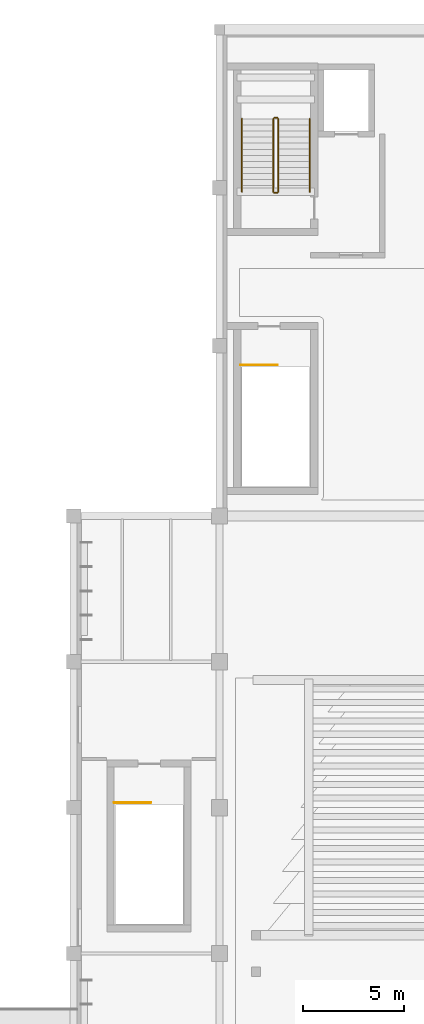
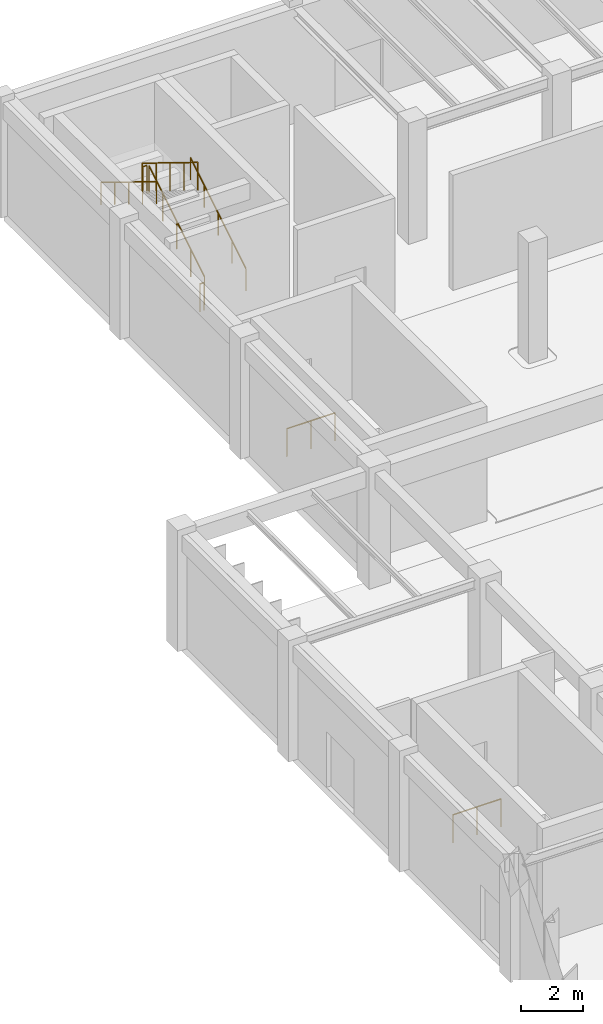
# One storey, part 117 of 122: 8 railings.
"""IFC4 building model written with IfcOpenShell, lengths in metres."""

import ifcopenshell
import ifcopenshell.guid

model = None  # the IFC model being written
_history = None  # IfcOwnerHistory: only IFC2X3 demands one
_inside = {}  # id of a spatial element -> (the spatial element, [elements in it])
_under = {}  # id of a project, library or spatial element -> (it, [spatial elements below it])
_declared = {}  # id of a project -> (the project, [libraries it declares])
_typed = {}  # id of a type object -> (the type object, [elements of that type])
_made_of = {}  # id of a material, layer set ... -> (it, [elements and type objects made of it])


def new_model(schema):
    """Start an empty IFC model of exactly this schema.

    Asked for "IFC4X3", IfcOpenShell would pick the latest addendum, in which some entities
    have other attributes; the version numbers below select the first issue.
    IFC2X3 requires an IfcOwnerHistory on every rooted entity: one is made here for all.
    """
    global model, _history
    if schema == "IFC4X3":
        model = ifcopenshell.file(schema_version=(4, 3, 0, 0))
    else:
        model = ifcopenshell.file(schema=schema)
    _inside.clear()
    _under.clear()
    _declared.clear()
    _typed.clear()
    _made_of.clear()
    _history = None
    if model.schema == "IFC2X3":
        org = make("IfcOrganization", Name="unknown")
        user = make(
            "IfcPersonAndOrganization",
            ThePerson=make("IfcPerson", FamilyName="unknown"),
            TheOrganization=org,
        )
        app = make(
            "IfcApplication",
            ApplicationDeveloper=org,
            Version="unknown",
            ApplicationFullName="unknown",
            ApplicationIdentifier="unknown",
        )
        _history = make(
            "IfcOwnerHistory",
            OwningUser=user,
            OwningApplication=app,
            ChangeAction="ADDED",
            CreationDate=0,
        )
    return model


def make(cls, **values):
    """One entity of the class cls with the attributes given. An attribute that is None is left unset."""
    return model.create_entity(
        cls, **{name: value for name, value in values.items() if value is not None}
    )


def rooted(cls, **values):
    """An entity with a GlobalId (a new one), such as an element, a storey or a relation."""
    return make(cls, GlobalId=ifcopenshell.guid.new(), OwnerHistory=_history, **values)


def si_unit(unit_type, name, prefix=None):
    """IfcSIUnit, for example si_unit("LENGTHUNIT", "METRE", prefix="MILLI")."""
    return make("IfcSIUnit", UnitType=unit_type, Prefix=prefix, Name=name)


def assignment(units):
    """IfcUnitAssignment: the units of a project."""
    return None if units is None else make("IfcUnitAssignment", Units=units)


def point(xyz):
    """IfcCartesianPoint."""
    return None if xyz is None else make("IfcCartesianPoint", Coordinates=xyz)


def direction(xyz):
    """IfcDirection."""
    return None if xyz is None else make("IfcDirection", DirectionRatios=xyz)


def frame(location, z_axis=None, x_axis=None):
    """IfcAxis2Placement3D, a coordinate frame: its origin and axes. An axis left out is left unset."""
    return make(
        "IfcAxis2Placement3D",
        Location=point(location),
        Axis=direction(z_axis),
        RefDirection=direction(x_axis),
    )


def frame_2d(location, x_axis=None):
    """IfcAxis2Placement2D, a coordinate frame in the plane: its origin and x axis."""
    return make(
        "IfcAxis2Placement2D", Location=point(location), RefDirection=direction(x_axis)
    )


def origin():
    """The frame at (0, 0, 0) with its axes left unset."""
    return frame((0.0, 0.0, 0.0))


def origin_2d():
    """The frame at (0, 0) in the plane with its x axis left unset."""
    return frame_2d((0.0, 0.0))


def place(relative_to, where):
    """IfcLocalPlacement: puts the frame where relative to a parent placement (None: the world)."""
    return make(
        "IfcLocalPlacement", PlacementRelTo=relative_to, RelativePlacement=where
    )


def context(
    kind, dimensions, precision=None, world=None, true_north=None, identifier=None
):
    """IfcGeometricRepresentationContext, for example the 3D "Model" context."""
    return make(
        "IfcGeometricRepresentationContext",
        ContextIdentifier=identifier,
        ContextType=kind,
        CoordinateSpaceDimension=dimensions,
        Precision=precision,
        WorldCoordinateSystem=world,
        TrueNorth=true_north,
    )


def subcontext(parent, identifier, kind, view, scale=None):
    """IfcGeometricRepresentationSubContext, for example "Body" below "Model"."""
    return make(
        "IfcGeometricRepresentationSubContext",
        ContextIdentifier=identifier,
        ContextType=kind,
        ParentContext=parent,
        TargetScale=scale,
        TargetView=view,
    )


def project(units=None, contexts=None):
    """IfcProject with its units and contexts."""
    return rooted(
        "IfcProject",
        Name="project",
        RepresentationContexts=contexts,
        UnitsInContext=assignment(units),
    )


def spatial(cls, under=None, at=None, **own):
    """A site, building, storey or space (cls), placed at a placement, below another one or the project."""
    s = rooted(cls, ObjectPlacement=at, **own)
    if under is not None:
        _under.setdefault(under.id(), (under, []))[1].append(s)
    return s


def profile(cls, at=None, kind="AREA", **sizes):
    """A parametric profile (cls). Its sizes go by their IFC names, for example OverallWidth=200.0."""
    return make(cls, ProfileType=kind, Position=at, **sizes)


def circle(**sizes):
    """IfcCircleProfileDef."""
    return profile("IfcCircleProfileDef", **sizes)


def extrude(swept, where, along, depth):
    """IfcExtrudedAreaSolid: the profile swept, set in the frame where, extruded along a direction by depth."""
    return make(
        "IfcExtrudedAreaSolid",
        SweptArea=swept,
        Position=where,
        ExtrudedDirection=direction(along),
        Depth=depth,
    )


def shape(context_of_items, identifier, shape_type, items):
    """IfcShapeRepresentation: the items that make up one representation, for example the "Body"."""
    return make(
        "IfcShapeRepresentation",
        ContextOfItems=context_of_items,
        RepresentationIdentifier=identifier,
        RepresentationType=shape_type,
        Items=items,
    )


def material(Name=None, Category=None):
    """IfcMaterial."""
    return make("IfcMaterial", Name=Name, Category=Category)


def material_profile(
    of_material, cross_section, Name=None, Category=None, Priority=None
):
    """IfcMaterialProfile: a cross section and its material."""
    return make(
        "IfcMaterialProfile",
        Name=Name,
        Material=of_material,
        Profile=cross_section,
        Priority=Priority,
        Category=Category,
    )


def profile_set(profiles, Name=None, composite=None):
    """IfcMaterialProfileSet."""
    return make(
        "IfcMaterialProfileSet",
        Name=Name,
        MaterialProfiles=profiles,
        CompositeProfile=composite,
    )


def made_of(thing, what):
    """Note that an element or type object is made of a material, layer set ...; save() writes the relation."""
    if what is not None:
        _made_of.setdefault(what.id(), (what, []))[1].append(thing)
    return thing


def type_object(cls, material=None, **own):
    """A type object (cls), such as IfcWallType, which elements share."""
    return made_of(rooted(cls, **own), material)


def element(
    cls,
    number,
    at=None,
    inside=None,
    cuts=None,
    type_object=None,
    material=None,
    context=None,
    identifier="Body",
    shape_type=None,
    held_by="IfcProductDefinitionShape",
    body=None,
    shapes=None,
    **own,
):
    """One element of the class cls, such as IfcWall. Its Tag is "e" and its number.

    at: its placement. inside: the storey or other place that contains it. cuts: it is an
    opening in that element (IfcRelVoidsElement). A single representation is given by context,
    identifier, shape_type and body (its items); several are given by shapes. held_by: the class
    of the entity that holds the representations. save() writes the other relations.
    """
    e = rooted(cls, Tag="e%d" % number, ObjectPlacement=at, **own)
    if body is not None:
        shapes = [shape(context, identifier, shape_type, body)]
    if shapes is not None:
        e.Representation = make(held_by, Representations=shapes)
    if inside is not None:
        _inside.setdefault(inside.id(), (inside, []))[1].append(e)
    if cuts is not None:
        rooted(
            "IfcRelVoidsElement", RelatingBuildingElement=cuts, RelatedOpeningElement=e
        )
    if type_object is not None:
        _typed.setdefault(type_object.id(), (type_object, []))[1].append(e)
    return made_of(e, material)


def aggregate(whole, parts):
    """IfcRelAggregates: a whole, such as a stair, and the parts it consists of."""
    return rooted("IfcRelAggregates", RelatingObject=whole, RelatedObjects=parts)


def save(model, path):
    """Write the relations noted so far, then the file.

    IfcRelAggregates (storeys below a building ...), IfcRelContainedInSpatialStructure (elements
    in a storey), IfcRelDefinesByType, IfcRelAssociatesMaterial and IfcRelDeclares: one each for
    every whole, place, type object, material and project.
    """
    for whole, parts in _under.values():
        aggregate(whole, parts)
    for where, things in _inside.values():
        rooted(
            "IfcRelContainedInSpatialStructure",
            RelatedElements=things,
            RelatingStructure=where,
        )
    for kind, things in _typed.values():
        rooted("IfcRelDefinesByType", RelatedObjects=things, RelatingType=kind)
    for what, things in _made_of.values():
        rooted("IfcRelAssociatesMaterial", RelatedObjects=things, RelatingMaterial=what)
    for by, libraries in _declared.values():
        rooted("IfcRelDeclares", RelatingContext=by, RelatedDefinitions=libraries)
    model.write(path)


model = new_model("IFC4")

# Units and contexts
model_context = context("Model", 3, precision=1e-05, world=origin(), true_north=direction((0.0, 1.0)))
body_context = subcontext(model_context, "Body", "Model", "MODEL_VIEW")
ifc_project = project(units=[si_unit("LENGTHUNIT", "METRE"), si_unit("AREAUNIT", "SQUARE_METRE"), si_unit("VOLUMEUNIT", "CUBIC_METRE"), si_unit("PLANEANGLEUNIT", "RADIAN"), si_unit("MASSUNIT", "GRAM", prefix="KILO")], contexts=[model_context])

# Site, building, storey
site_placement = place(None, origin())
site = spatial("IfcSite", under=ifc_project, at=site_placement, CompositionType="ELEMENT")
building_placement = place(site_placement, origin())
building = spatial("IfcBuilding", under=site, at=building_placement, Name="Tazoul Stagehouse", CompositionType="ELEMENT")
storey_placement = place(building_placement, origin())
storey = spatial("IfcBuildingStorey", under=building, at=storey_placement, Name="L00", CompositionType="ELEMENT", Elevation=0.0)

# Railings
ifc_material = material(Name="Brushed Stainless Steel 316L", Category="steel")
ifc_material_profile_1 = material_profile(ifc_material, circle(Radius=0.02392578125, at=origin_2d()), Name="SS RAIL D48")
ifc_profile_set_1 = profile_set([ifc_material_profile_1], Name="Brushed Stainless Steel 316L")
railing_type_1 = type_object("IfcRailingType", Name="Architectural Guardrail H1120", PredefinedType="GUARDRAIL", material=ifc_profile_set_1)
railing_1_placement = place(storey_placement, frame((60.5, 103.800048828125, 0.1845703125)))
element("IfcRailing", 1, at=railing_1_placement, inside=storey, type_object=railing_type_1, Name="L00 ST-03 stair guard 1", PredefinedType="GUARDRAIL", context=body_context, shape_type="SweptSolid", body=[
    extrude(circle(Radius=0.02392578125, at=origin_2d()), frame((0.0, 0.0, 1.09619140625), z_axis=(0.0, 0.851654350407, 0.524103870844), x_axis=(-1.0, 0.0, 0.0)), (0.0, 0.0, 1.0), 4.226806640625),
    extrude(circle(Radius=0.02099609375, at=origin_2d()), origin(), (0.0, 0.0, 1.0), 1.072021484375),
    extrude(circle(Radius=0.02099609375, at=origin_2d()), frame((0.0, 0.89990234375, 0.5537109375)), (0.0, 0.0, 1.0), 1.072021484375),
    extrude(circle(Radius=0.02099609375, at=origin_2d()), frame((0.0, 1.7998046875, 1.107666015625)), (0.0, 0.0, 1.0), 1.072021484375),
    extrude(circle(Radius=0.02099609375, at=origin_2d()), frame((0.0, 2.699951171875, 1.66162109375)), (0.0, 0.0, 1.0), 1.072021484375),
    extrude(circle(Radius=0.02099609375, at=origin_2d()), frame((0.0, 3.599853515625, 2.21533203125)), (0.0, 0.0, 1.0), 1.072021484375),
])
railing_2_placement = place(storey_placement, frame((60.449951171875, 107.449951171875, 2.39990234375)))
element("IfcRailing", 2, at=railing_2_placement, inside=storey, type_object=railing_type_1, Name="L00 ST-03 stair guard 2", PredefinedType="GUARDRAIL", context=body_context, shape_type="SweptSolid", body=[
    extrude(circle(Radius=0.02392578125, at=origin_2d()), frame((0.0, 0.0, 1.09619140625), z_axis=(-1.0, 0.0, 0.0), x_axis=(0.0, -1.0, 0.0)), (0.0, 0.0, 1.0), 0.14990234375),
    extrude(circle(Radius=0.02099609375, at=origin_2d()), origin(), (0.0, 0.0, 1.0), 1.072021484375),
    extrude(circle(Radius=0.02099609375, at=origin_2d()), frame((-0.14990234375, 0.0, 0.0)), (0.0, 0.0, 1.0), 1.072021484375),
])
railing_3_placement = place(storey_placement, frame((60.25, 107.39990234375, 2.584716796875)))
element("IfcRailing", 3, at=railing_3_placement, inside=storey, type_object=railing_type_1, Name="L00 ST-03 stair guard 3", PredefinedType="GUARDRAIL", context=body_context, shape_type="SweptSolid", body=[
    extrude(circle(Radius=0.02392578125, at=origin_2d()), frame((0.0, 0.0, 1.09619140625), z_axis=(0.0, -0.851654350407, 0.524103870844), x_axis=(1.0, 0.0, 0.0)), (0.0, 0.0, 1.0), 4.226806640625),
    extrude(circle(Radius=0.02099609375, at=origin_2d()), origin(), (0.0, 0.0, 1.0), 1.072021484375),
    extrude(circle(Radius=0.02099609375, at=origin_2d()), frame((0.0, -0.89990234375, 0.5537109375)), (0.0, 0.0, 1.0), 1.072021484375),
    extrude(circle(Radius=0.02099609375, at=origin_2d()), frame((0.0, -1.7998046875, 1.107666015625)), (0.0, 0.0, 1.0), 1.072021484375),
    extrude(circle(Radius=0.02099609375, at=origin_2d()), frame((0.0, -2.699951171875, 1.66162109375)), (0.0, 0.0, 1.0), 1.072021484375),
    extrude(circle(Radius=0.02099609375, at=origin_2d()), frame((0.0, -3.599853515625, 2.21533203125)), (0.0, 0.0, 1.0), 1.072021484375),
])
railing_4_placement = place(storey_placement, frame((60.449951171875, 103.75, 0.0)))
element("IfcRailing", 4, at=railing_4_placement, inside=storey, type_object=railing_type_1, Name="L00 ST-03 stair guard 4", PredefinedType="GUARDRAIL", context=body_context, shape_type="SweptSolid", body=[
    extrude(circle(Radius=0.02392578125, at=origin_2d()), frame((0.0, 0.0, 1.09619140625), z_axis=(-1.0, 0.0, 0.0), x_axis=(0.0, -1.0, 0.0)), (0.0, 0.0, 1.0), 0.14990234375),
    extrude(circle(Radius=0.02099609375, at=origin_2d()), origin(), (0.0, 0.0, 1.0), 1.072021484375),
    extrude(circle(Radius=0.02099609375, at=origin_2d()), frame((-0.14990234375, 0.0, 0.0)), (0.0, 0.0, 1.0), 1.072021484375),
])
for number, where, name in (
    (5, (58.64990234375, 95.25, 0.0), "L00 ST-B3 top well guard 1"),
    (6, (52.39990234375, 73.64990234375, 0.0), "L00 ST-B5 top well guard 1"),
):
    element("IfcRailing", number, at=place(storey_placement, frame(where)), inside=storey, type_object=railing_type_1, Name=name, PredefinedType="GUARDRAIL", context=body_context, shape_type="SweptSolid", body=[
        extrude(circle(Radius=0.02392578125, at=origin_2d()), frame((0.0, 0.0, 1.09619140625), z_axis=(1.0, 0.0, 0.0), x_axis=(0.0, 1.0, 0.0)), (0.0, 0.0, 1.0), 1.800048828125),
        extrude(circle(Radius=0.02099609375, at=origin_2d()), origin(), (0.0, 0.0, 1.0), 1.072021484375),
        extrude(circle(Radius=0.02099609375, at=origin_2d()), frame((0.89990234375, 0.0, 0.0)), (0.0, 0.0, 1.0), 1.072021484375),
        extrude(circle(Radius=0.02099609375, at=origin_2d()), frame((1.800048828125, 0.0, 0.0)), (0.0, 0.0, 1.0), 1.072021484375),
    ])
ifc_material_profile_2 = material_profile(ifc_material, circle(Radius=0.02099609375, at=origin_2d()), Name="SS HANDRAIL D42")
ifc_profile_set_2 = profile_set([ifc_material_profile_2], Name="Brushed Stainless Steel 316L")
railing_type_2 = type_object("IfcRailingType", Name="Continuous Stair Handrail H900", PredefinedType="HANDRAIL", material=ifc_profile_set_2)
railing_5_placement = place(storey_placement, frame((62.050048828125, 103.800048828125, 0.1845703125)))
element("IfcRailing", 7, at=railing_5_placement, inside=storey, type_object=railing_type_2, Name="L00 ST-03 stair handrail 1", PredefinedType="HANDRAIL", context=body_context, shape_type="SweptSolid", body=[
    extrude(circle(Radius=0.02392578125, at=origin_2d()), frame((0.0, 0.0, 0.8759765625), z_axis=(0.0, 0.851654350407, 0.524103870844), x_axis=(-1.0, 0.0, 0.0)), (0.0, 0.0, 1.0), 4.226806640625),
    extrude(circle(Radius=0.02099609375, at=origin_2d()), origin(), (0.0, 0.0, 1.0), 0.851806640625),
    extrude(circle(Radius=0.02099609375, at=origin_2d()), frame((0.0, 0.89990234375, 0.5537109375)), (0.0, 0.0, 1.0), 0.851806640625),
    extrude(circle(Radius=0.02099609375, at=origin_2d()), frame((0.0, 1.7998046875, 1.107666015625)), (0.0, 0.0, 1.0), 0.851806640625),
    extrude(circle(Radius=0.02099609375, at=origin_2d()), frame((0.0, 2.699951171875, 1.66162109375)), (0.0, 0.0, 1.0), 0.851806640625),
    extrude(circle(Radius=0.02099609375, at=origin_2d()), frame((0.0, 3.599853515625, 2.21533203125)), (0.0, 0.0, 1.0), 0.851806640625),
])
railing_6_placement = place(storey_placement, frame((58.699951171875, 107.39990234375, 2.584716796875)))
element("IfcRailing", 8, at=railing_6_placement, inside=storey, type_object=railing_type_2, Name="L00 ST-03 stair handrail 2", PredefinedType="HANDRAIL", context=body_context, shape_type="SweptSolid", body=[
    extrude(circle(Radius=0.02392578125, at=origin_2d()), frame((0.0, 0.0, 0.8759765625), z_axis=(0.0, -0.851654350407, 0.524103870844), x_axis=(1.0, 0.0, 0.0)), (0.0, 0.0, 1.0), 4.226806640625),
    extrude(circle(Radius=0.02099609375, at=origin_2d()), origin(), (0.0, 0.0, 1.0), 0.851806640625),
    extrude(circle(Radius=0.02099609375, at=origin_2d()), frame((0.0, -0.89990234375, 0.5537109375)), (0.0, 0.0, 1.0), 0.851806640625),
    extrude(circle(Radius=0.02099609375, at=origin_2d()), frame((0.0, -1.7998046875, 1.107666015625)), (0.0, 0.0, 1.0), 0.851806640625),
    extrude(circle(Radius=0.02099609375, at=origin_2d()), frame((0.0, -2.699951171875, 1.66162109375)), (0.0, 0.0, 1.0), 0.851806640625),
    extrude(circle(Radius=0.02099609375, at=origin_2d()), frame((0.0, -3.599853515625, 2.21533203125)), (0.0, 0.0, 1.0), 0.851806640625),
])

save(model, "model.ifc")
